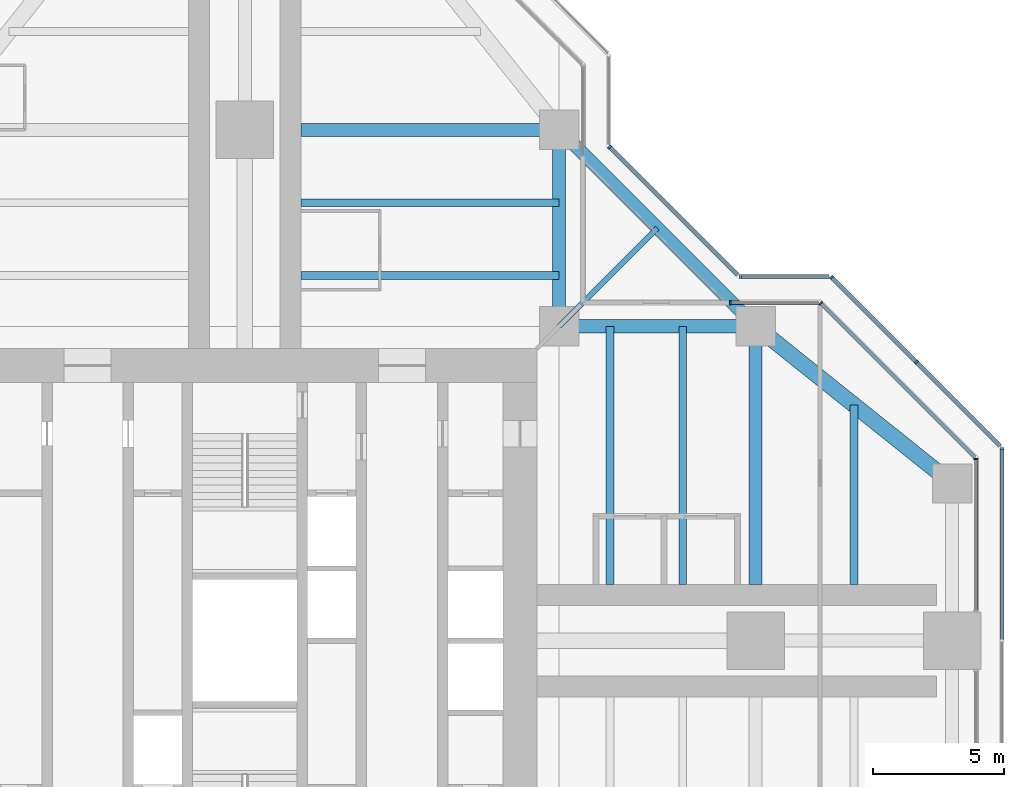
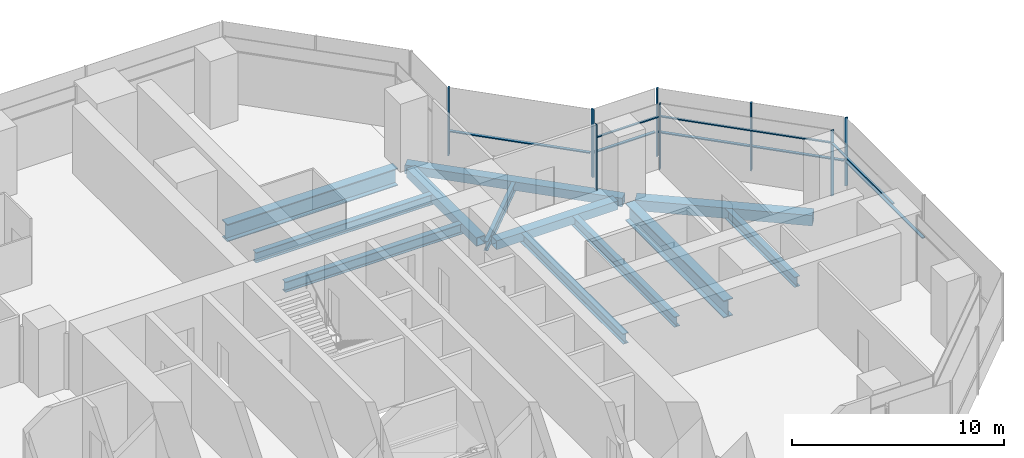
# One storey, part 8 of 17: 16 members, 12 beams, 7 elements without a shape of their own.
"""IFC4 building model written with IfcOpenShell, lengths in metres."""

import ifcopenshell
import ifcopenshell.guid

model = None  # the IFC model being written
_history = None  # IfcOwnerHistory: only IFC2X3 demands one
_inside = {}  # id of a spatial element -> (the spatial element, [elements in it])
_under = {}  # id of a project, library or spatial element -> (it, [spatial elements below it])
_declared = {}  # id of a project -> (the project, [libraries it declares])
_typed = {}  # id of a type object -> (the type object, [elements of that type])
_made_of = {}  # id of a material, layer set ... -> (it, [elements and type objects made of it])


def new_model(schema):
    """Start an empty IFC model of exactly this schema.

    Asked for "IFC4X3", IfcOpenShell would pick the latest addendum, in which some entities
    have other attributes; the version numbers below select the first issue.
    IFC2X3 requires an IfcOwnerHistory on every rooted entity: one is made here for all.
    """
    global model, _history
    if schema == "IFC4X3":
        model = ifcopenshell.file(schema_version=(4, 3, 0, 0))
    else:
        model = ifcopenshell.file(schema=schema)
    _inside.clear()
    _under.clear()
    _declared.clear()
    _typed.clear()
    _made_of.clear()
    _history = None
    if model.schema == "IFC2X3":
        org = make("IfcOrganization", Name="unknown")
        user = make(
            "IfcPersonAndOrganization",
            ThePerson=make("IfcPerson", FamilyName="unknown"),
            TheOrganization=org,
        )
        app = make(
            "IfcApplication",
            ApplicationDeveloper=org,
            Version="unknown",
            ApplicationFullName="unknown",
            ApplicationIdentifier="unknown",
        )
        _history = make(
            "IfcOwnerHistory",
            OwningUser=user,
            OwningApplication=app,
            ChangeAction="ADDED",
            CreationDate=0,
        )
    return model


def make(cls, **values):
    """One entity of the class cls with the attributes given. An attribute that is None is left unset."""
    return model.create_entity(
        cls, **{name: value for name, value in values.items() if value is not None}
    )


def rooted(cls, **values):
    """An entity with a GlobalId (a new one), such as an element, a storey or a relation."""
    return make(cls, GlobalId=ifcopenshell.guid.new(), OwnerHistory=_history, **values)


def si_unit(unit_type, name, prefix=None):
    """IfcSIUnit, for example si_unit("LENGTHUNIT", "METRE", prefix="MILLI")."""
    return make("IfcSIUnit", UnitType=unit_type, Prefix=prefix, Name=name)


def assignment(units):
    """IfcUnitAssignment: the units of a project."""
    return None if units is None else make("IfcUnitAssignment", Units=units)


def point(xyz):
    """IfcCartesianPoint."""
    return None if xyz is None else make("IfcCartesianPoint", Coordinates=xyz)


def direction(xyz):
    """IfcDirection."""
    return None if xyz is None else make("IfcDirection", DirectionRatios=xyz)


def frame(location, z_axis=None, x_axis=None):
    """IfcAxis2Placement3D, a coordinate frame: its origin and axes. An axis left out is left unset."""
    return make(
        "IfcAxis2Placement3D",
        Location=point(location),
        Axis=direction(z_axis),
        RefDirection=direction(x_axis),
    )


def frame_2d(location, x_axis=None):
    """IfcAxis2Placement2D, a coordinate frame in the plane: its origin and x axis."""
    return make(
        "IfcAxis2Placement2D", Location=point(location), RefDirection=direction(x_axis)
    )


def origin():
    """The frame at (0, 0, 0) with its axes left unset."""
    return frame((0.0, 0.0, 0.0))


def origin_2d():
    """The frame at (0, 0) in the plane with its x axis left unset."""
    return frame_2d((0.0, 0.0))


def place(relative_to, where):
    """IfcLocalPlacement: puts the frame where relative to a parent placement (None: the world)."""
    return make(
        "IfcLocalPlacement", PlacementRelTo=relative_to, RelativePlacement=where
    )


def context(
    kind, dimensions, precision=None, world=None, true_north=None, identifier=None
):
    """IfcGeometricRepresentationContext, for example the 3D "Model" context."""
    return make(
        "IfcGeometricRepresentationContext",
        ContextIdentifier=identifier,
        ContextType=kind,
        CoordinateSpaceDimension=dimensions,
        Precision=precision,
        WorldCoordinateSystem=world,
        TrueNorth=true_north,
    )


def subcontext(parent, identifier, kind, view, scale=None):
    """IfcGeometricRepresentationSubContext, for example "Body" below "Model"."""
    return make(
        "IfcGeometricRepresentationSubContext",
        ContextIdentifier=identifier,
        ContextType=kind,
        ParentContext=parent,
        TargetScale=scale,
        TargetView=view,
    )


def project(units=None, contexts=None):
    """IfcProject with its units and contexts."""
    return rooted(
        "IfcProject",
        Name="project",
        RepresentationContexts=contexts,
        UnitsInContext=assignment(units),
    )


def spatial(cls, under=None, at=None, **own):
    """A site, building, storey or space (cls), placed at a placement, below another one or the project."""
    s = rooted(cls, ObjectPlacement=at, **own)
    if under is not None:
        _under.setdefault(under.id(), (under, []))[1].append(s)
    return s


def profile(cls, at=None, kind="AREA", **sizes):
    """A parametric profile (cls). Its sizes go by their IFC names, for example OverallWidth=200.0."""
    return make(cls, ProfileType=kind, Position=at, **sizes)


def rectangle(**sizes):
    """IfcRectangleProfileDef."""
    return profile("IfcRectangleProfileDef", **sizes)


def hollow_rectangle(**sizes):
    """IfcRectangleHollowProfileDef."""
    return profile("IfcRectangleHollowProfileDef", **sizes)


def i_section(**sizes):
    """IfcIShapeProfileDef."""
    return profile("IfcIShapeProfileDef", **sizes)


def extrude(swept, where, along, depth):
    """IfcExtrudedAreaSolid: the profile swept, set in the frame where, extruded along a direction by depth."""
    return make(
        "IfcExtrudedAreaSolid",
        SweptArea=swept,
        Position=where,
        ExtrudedDirection=direction(along),
        Depth=depth,
    )


def shape(context_of_items, identifier, shape_type, items):
    """IfcShapeRepresentation: the items that make up one representation, for example the "Body"."""
    return make(
        "IfcShapeRepresentation",
        ContextOfItems=context_of_items,
        RepresentationIdentifier=identifier,
        RepresentationType=shape_type,
        Items=items,
    )


def material(Name=None, Category=None):
    """IfcMaterial."""
    return make("IfcMaterial", Name=Name, Category=Category)


def material_profile(
    of_material, cross_section, Name=None, Category=None, Priority=None
):
    """IfcMaterialProfile: a cross section and its material."""
    return make(
        "IfcMaterialProfile",
        Name=Name,
        Material=of_material,
        Profile=cross_section,
        Priority=Priority,
        Category=Category,
    )


def profile_set(profiles, Name=None, composite=None):
    """IfcMaterialProfileSet."""
    return make(
        "IfcMaterialProfileSet",
        Name=Name,
        MaterialProfiles=profiles,
        CompositeProfile=composite,
    )


def made_of(thing, what):
    """Note that an element or type object is made of a material, layer set ...; save() writes the relation."""
    if what is not None:
        _made_of.setdefault(what.id(), (what, []))[1].append(thing)
    return thing


def type_object(cls, material=None, **own):
    """A type object (cls), such as IfcWallType, which elements share."""
    return made_of(rooted(cls, **own), material)


def element(
    cls,
    number,
    at=None,
    inside=None,
    cuts=None,
    type_object=None,
    material=None,
    context=None,
    identifier="Body",
    shape_type=None,
    held_by="IfcProductDefinitionShape",
    body=None,
    shapes=None,
    **own,
):
    """One element of the class cls, such as IfcWall. Its Tag is "e" and its number.

    at: its placement. inside: the storey or other place that contains it. cuts: it is an
    opening in that element (IfcRelVoidsElement). A single representation is given by context,
    identifier, shape_type and body (its items); several are given by shapes. held_by: the class
    of the entity that holds the representations. save() writes the other relations.
    """
    e = rooted(cls, Tag="e%d" % number, ObjectPlacement=at, **own)
    if body is not None:
        shapes = [shape(context, identifier, shape_type, body)]
    if shapes is not None:
        e.Representation = make(held_by, Representations=shapes)
    if inside is not None:
        _inside.setdefault(inside.id(), (inside, []))[1].append(e)
    if cuts is not None:
        rooted(
            "IfcRelVoidsElement", RelatingBuildingElement=cuts, RelatedOpeningElement=e
        )
    if type_object is not None:
        _typed.setdefault(type_object.id(), (type_object, []))[1].append(e)
    return made_of(e, material)


def aggregate(whole, parts):
    """IfcRelAggregates: a whole, such as a stair, and the parts it consists of."""
    return rooted("IfcRelAggregates", RelatingObject=whole, RelatedObjects=parts)


def save(model, path):
    """Write the relations noted so far, then the file.

    IfcRelAggregates (storeys below a building ...), IfcRelContainedInSpatialStructure (elements
    in a storey), IfcRelDefinesByType, IfcRelAssociatesMaterial and IfcRelDeclares: one each for
    every whole, place, type object, material and project.
    """
    for whole, parts in _under.values():
        aggregate(whole, parts)
    for where, things in _inside.values():
        rooted(
            "IfcRelContainedInSpatialStructure",
            RelatedElements=things,
            RelatingStructure=where,
        )
    for kind, things in _typed.values():
        rooted("IfcRelDefinesByType", RelatedObjects=things, RelatingType=kind)
    for what, things in _made_of.values():
        rooted("IfcRelAssociatesMaterial", RelatedObjects=things, RelatingMaterial=what)
    for by, libraries in _declared.values():
        rooted("IfcRelDeclares", RelatingContext=by, RelatedDefinitions=libraries)
    model.write(path)


model = new_model("IFC4")

# Units and contexts
model_context = context("Model", 3, precision=1e-05, world=origin(), true_north=direction((0.0, 1.0)))
body_context = subcontext(model_context, "Body", "Model", "MODEL_VIEW")
ifc_project = project(units=[si_unit("LENGTHUNIT", "METRE"), si_unit("AREAUNIT", "SQUARE_METRE"), si_unit("VOLUMEUNIT", "CUBIC_METRE"), si_unit("PLANEANGLEUNIT", "RADIAN"), si_unit("MASSUNIT", "GRAM", prefix="KILO")], contexts=[model_context])

# Site, building, storey
site_placement = place(None, origin())
site = spatial("IfcSite", under=ifc_project, at=site_placement, CompositionType="ELEMENT")
building_placement = place(site_placement, origin())
building = spatial("IfcBuilding", under=site, at=building_placement, Name="Mizan Broadcast Tower", CompositionType="ELEMENT")
storey_placement = place(building_placement, frame((0.0, 0.0, 212.699951171875)))
storey = spatial("IfcBuildingStorey", under=building, at=storey_placement, Name="L49", CompositionType="ELEMENT", Elevation=212.699951171875)

# Beams
ifc_material_1 = material(Name="Steel S355", Category="steel")
ifc_material_profile_1 = material_profile(ifc_material_1, hollow_rectangle(XDim=0.5, YDim=0.5, WallThickness=0.030029296875, at=origin_2d()), Name="BOX 500x500x30")
ifc_profile_set_1 = profile_set([ifc_material_profile_1], Name="Steel S355")
beam_type_1 = type_object("IfcBeamType", Name="EDGE BEAM BOX 500x500x30", PredefinedType="SPANDREL", material=ifc_profile_set_1)
for number, where, z_axis, x_axis, name in (
    (1, (12.449951171875, 12.0, -0.3798828125), (1.0, 0.0, 0.0), (0.0, 1.0, 0.0), "Edge beam BOX 500x500x30 L49 east arm"),
    (2, (12.0, 12.449951171875, -0.3798828125), (0.0, 1.0, 0.0), (-1.0, 0.0, 0.0), "Edge beam BOX 500x500x30 L49 north arm"),
):
    element("IfcBeam", number, at=place(storey_placement, frame(where, z_axis=z_axis, x_axis=x_axis)), inside=storey, type_object=beam_type_1, Name=name, PredefinedType="SPANDREL", context=body_context, shape_type="SweptSolid", body=[
        extrude(hollow_rectangle(XDim=0.5, YDim=0.5, WallThickness=0.030029296875, at=origin_2d()), origin(), (0.0, 0.0, 1.0), 6.60009765625),
    ])
beam_1_placement = place(storey_placement, frame((19.5, 12.0, -0.3798828125), z_axis=(-0.707106781187, 0.707106781187, 0.0), x_axis=(-0.707106781187, -0.707106781187, 0.0)))
element("IfcBeam", 3, at=beam_1_placement, inside=storey, type_object=beam_type_1, Name="Winter garden edge beam L49 E", PredefinedType="SPANDREL", context=body_context, shape_type="SweptSolid", body=[
    extrude(hollow_rectangle(XDim=0.5, YDim=0.5, WallThickness=0.030029296875, at=origin_2d()), origin(), (0.0, 0.0, 1.0), 10.606689453125),
])
ifc_material_2 = material(Name="Steel S355", Category="steel")
ifc_material_profile_2 = material_profile(ifc_material_2, hollow_rectangle(XDim=0.60009765625, YDim=0.60009765625, WallThickness=0.030029296875, at=origin_2d()), Name="BOX 600x600x30")
ifc_profile_set_2 = profile_set([ifc_material_profile_2], Name="Steel S355")
beam_type_2 = type_object("IfcBeamType", Name="EDGE BEAM BOX 600x600x30", PredefinedType="SPANDREL", material=ifc_profile_set_2)
beam_2_placement = place(storey_placement, frame((19.949951171875, 11.639892578125, -0.429931640625), z_axis=(0.780885717636, -0.624673911726, 0.0), x_axis=(0.624673911726, 0.780885717636, 0.0)))
element("IfcBeam", 4, at=beam_2_placement, inside=storey, type_object=beam_type_2, Name="Edge beam BOX 600x600x30 L49 east arm", PredefinedType="SPANDREL", context=body_context, shape_type="SweptSolid", body=[
    extrude(hollow_rectangle(XDim=0.60009765625, YDim=0.60009765625, WallThickness=0.030029296875, at=origin_2d()), origin(), (0.0, 0.0, 1.0), 8.4521484375),
])
ifc_material_3 = material(Name="Steel S460", Category="steel")
ifc_material_profile_3 = material_profile(ifc_material_3, i_section(OverallWidth=0.5, OverallDepth=1.0, WebThickness=0.02490234375, FlangeThickness=0.050048828125, at=origin_2d()), Name="WPG 1000x500")
ifc_profile_set_3 = profile_set([ifc_material_profile_3], Name="Steel S460")
beam_type_3 = type_object("IfcBeamType", Name="GIRDER WPG 1000x500", PredefinedType="BEAM", material=ifc_profile_set_3)
for number, where, z_axis, x_axis, name in (
    (5, (19.5, 11.408935546875, -0.6298828125), (0.0, -1.0, 0.0), (1.0, 0.0, 0.0), "Girder WPG 1000x500 L49 east arm"),
    (6, (11.408935546875, 19.5, -0.6298828125), (-1.0, 0.0, 0.0), (0.0, -1.0, 0.0), "Girder WPG 1000x500 L49 north arm"),
):
    element("IfcBeam", number, at=place(storey_placement, frame(where, z_axis=z_axis, x_axis=x_axis)), inside=storey, type_object=beam_type_3, Name=name, PredefinedType="BEAM", context=body_context, shape_type="SweptSolid", body=[
        extrude(i_section(OverallWidth=0.5, OverallDepth=1.0, WebThickness=0.02490234375, FlangeThickness=0.050048828125, at=origin_2d()), origin(), (0.0, 0.0, 1.0), 9.259033203125),
    ])

# Curtain wall, member
ifc_material_4 = material(Name="Aluminium framed glazing", Category="aluminium")
curtain_wall_type_1 = type_object("IfcCurtainWallType", Name="INNER SKIN HIGH ZONE", PredefinedType="USERDEFINED", material=ifc_material_4)
curtain_wall_1_placement = place(storey_placement, origin())
curtain_wall_1 = element("IfcCurtainWall", 7, at=curtain_wall_1_placement, inside=storey, type_object=curtain_wall_type_1, Name="Inner skin high zone L49 E end", ObjectType="INNER SKIN HIGH ZONE", PredefinedType="USERDEFINED")
ifc_material_5 = material(Name="Aluminium, pale anodised", Category="aluminium")
ifc_material_profile_4 = material_profile(ifc_material_5, rectangle(XDim=0.159912109375, YDim=0.06005859375, at=origin_2d()), Name="MULLION 160x60")
ifc_profile_set_4 = profile_set([ifc_material_profile_4], Name="Aluminium, pale anodised")
member_type_1 = type_object("IfcMemberType", Name="INNER SKIN MULLION 60x160", PredefinedType="MULLION", material=ifc_profile_set_4)
member_1_placement = place(storey_placement, frame((27.89990234375, 6.928466796875, 0.0), z_axis=(0.0, 0.0, 1.0), x_axis=(-1.0, 0.0, 0.0)))
member_1 = element("IfcMember", 8, at=member_1_placement, type_object=member_type_1, Name="Inner skin high zone L49 E end mullion 2", PredefinedType="MULLION", context=body_context, shape_type="SweptSolid", body=[
    extrude(rectangle(XDim=0.159912109375, YDim=0.06005859375, at=origin_2d()), origin(), (0.0, 0.0, 1.0), 3.77001953125),
])

curtain_wall_2_placement = place(storey_placement, origin())
curtain_wall_2 = element("IfcCurtainWall", 9, at=curtain_wall_2_placement, inside=storey, type_object=curtain_wall_type_1, Name="Inner skin high zone L49 E chamfer", ObjectType="INNER SKIN HIGH ZONE", PredefinedType="USERDEFINED")
member_2_placement = place(storey_placement, frame((21.979736328125, 12.87890625, 0.0), z_axis=(0.0, 0.0, 1.0), x_axis=(-0.707106781187, -0.707106781187, 0.0)))
member_2 = element("IfcMember", 10, at=member_2_placement, type_object=member_type_1, Name="Inner skin high zone L49 E chamfer mullion 2", PredefinedType="MULLION", context=body_context, shape_type="SweptSolid", body=[
    extrude(rectangle(XDim=0.159912109375, YDim=0.06005859375, at=origin_2d()), origin(), (0.0, 0.0, 1.0), 3.77001953125),
])

curtain_wall_3_placement = place(storey_placement, origin())
curtain_wall_3 = element("IfcCurtainWall", 11, at=curtain_wall_3_placement, inside=storey, type_object=curtain_wall_type_1, Name="Inner skin high zone L49 E side", ObjectType="INNER SKIN HIGH ZONE", PredefinedType="USERDEFINED")
member_3_placement = place(storey_placement, frame((18.530029296875, 12.89990234375, 0.0), z_axis=(0.0, 0.0, 1.0), x_axis=(0.0, -1.0, 0.0)))
member_3 = element("IfcMember", 12, at=member_3_placement, type_object=member_type_1, Name="Inner skin high zone L49 E side mullion 2", PredefinedType="MULLION", context=body_context, shape_type="SweptSolid", body=[
    extrude(rectangle(XDim=0.159912109375, YDim=0.06005859375, at=origin_2d()), origin(), (0.0, 0.0, 1.0), 3.77001953125),
])

# Member
ifc_material_6 = material(Name="Aluminium, pale anodised", Category="aluminium")
ifc_material_profile_5 = material_profile(ifc_material_6, rectangle(XDim=0.1201171875, YDim=0.06005859375, at=origin_2d()), Name="TRANSOM 120x60")
ifc_profile_set_5 = profile_set([ifc_material_profile_5], Name="Aluminium, pale anodised")
member_type_2 = type_object("IfcMemberType", Name="INNER SKIN TRANSOM 60x120", PredefinedType="USERDEFINED", material=ifc_profile_set_5)
member_4_placement = place(storey_placement, frame((27.89990234375, 1.159912109375, 3.030029296875), z_axis=(0.0, 1.0, 0.0), x_axis=(-1.0, 0.0, 0.0)))
member_4 = element("IfcMember", 13, at=member_4_placement, type_object=member_type_2, Name="Inner skin high zone L49 E end transom 1.1", ObjectType="TRANSOM", PredefinedType="USERDEFINED", context=body_context, shape_type="SweptSolid", body=[
    extrude(rectangle(XDim=0.1201171875, YDim=0.06005859375, at=origin_2d()), origin(), (0.0, 0.0, 1.0), 5.73876953125),
])

aggregate(curtain_wall_1, [member_1, member_4])

member_5_placement = place(storey_placement, frame((27.857666015625, 7.0009765625, 3.030029296875), z_axis=(-0.707106781187, 0.707106781187, 0.0), x_axis=(-0.707106781187, -0.707106781187, 0.0)))
member_5 = element("IfcMember", 14, at=member_5_placement, type_object=member_type_2, Name="Inner skin high zone L49 E chamfer transom 1.1", ObjectType="TRANSOM", PredefinedType="USERDEFINED", context=body_context, shape_type="SweptSolid", body=[
    extrude(rectangle(XDim=0.1201171875, YDim=0.06005859375, at=origin_2d()), origin(), (0.0, 0.0, 1.0), 8.28271484375),
])

aggregate(curtain_wall_2, [member_2, member_5])

member_6_placement = place(storey_placement, frame((21.898681640625, 12.89990234375, 3.030029296875), z_axis=(-1.0, 0.0, 0.0), x_axis=(0.0, -1.0, 0.0)))
member_6 = element("IfcMember", 15, at=member_6_placement, type_object=member_type_2, Name="Inner skin high zone L49 E side transom 1.1", ObjectType="TRANSOM", PredefinedType="USERDEFINED", context=body_context, shape_type="SweptSolid", body=[
    extrude(rectangle(XDim=0.1201171875, YDim=0.06005859375, at=origin_2d()), origin(), (0.0, 0.0, 1.0), 3.338623046875),
])

aggregate(curtain_wall_3, [member_3, member_6])

# Curtain wall, member
ifc_material_7 = material(Name="Aluminium framed glazing", Category="aluminium")
curtain_wall_type_2 = type_object("IfcCurtainWallType", Name="OUTER SKIN", PredefinedType="USERDEFINED", material=ifc_material_7)
curtain_wall_4_placement = place(storey_placement, origin())
curtain_wall_4 = element("IfcCurtainWall", 16, at=curtain_wall_4_placement, inside=storey, type_object=curtain_wall_type_2, Name="Outer skin L49 E end", ObjectType="OUTER SKIN", PredefinedType="USERDEFINED")
ifc_material_8 = material(Name="Aluminium, pale anodised", Category="aluminium")
ifc_material_profile_6 = material_profile(ifc_material_8, rectangle(XDim=0.159912109375, YDim=0.080078125, at=origin_2d()), Name="MULLION 160x80")
ifc_profile_set_6 = profile_set([ifc_material_profile_6], Name="Aluminium, pale anodised")
member_type_3 = type_object("IfcMemberType", Name="OUTER SKIN MULLION 80x160", PredefinedType="MULLION", material=ifc_profile_set_6)
member_7_placement = place(storey_placement, frame((28.89990234375, 7.332763671875, 0.0), z_axis=(0.0, 0.0, 1.0), x_axis=(-1.0, 0.0, 0.0)))
member_7 = element("IfcMember", 17, at=member_7_placement, type_object=member_type_3, Name="Outer skin L49 E end mullion 3", PredefinedType="MULLION", context=body_context, shape_type="SweptSolid", body=[
    extrude(rectangle(XDim=0.159912109375, YDim=0.080078125, at=origin_2d()), origin(), (0.0, 0.0, 1.0), 3.900146484375),
])

# Curtain wall, members
curtain_wall_5_placement = place(storey_placement, origin())
curtain_wall_5 = element("IfcCurtainWall", 18, at=curtain_wall_5_placement, inside=storey, type_object=curtain_wall_type_2, Name="Outer skin L49 E chamfer", ObjectType="OUTER SKIN", PredefinedType="USERDEFINED")
member_8_placement = place(storey_placement, frame((25.636474609375, 10.636474609375, 0.0), z_axis=(0.0, 0.0, 1.0), x_axis=(-0.707106781187, -0.707106781187, 0.0)))
member_8 = element("IfcMember", 19, at=member_8_placement, type_object=member_type_3, Name="Outer skin L49 E chamfer mullion 2", PredefinedType="MULLION", context=body_context, shape_type="SweptSolid", body=[
    extrude(rectangle(XDim=0.159912109375, YDim=0.080078125, at=origin_2d()), origin(), (0.0, 0.0, 1.0), 3.900146484375),
])
member_9_placement = place(storey_placement, frame((22.401123046875, 13.871826171875, 0.0), z_axis=(0.0, 0.0, 1.0), x_axis=(-0.707106781187, -0.707106781187, 0.0)))
member_9 = element("IfcMember", 20, at=member_9_placement, type_object=member_type_3, Name="Outer skin L49 E chamfer mullion 3", PredefinedType="MULLION", context=body_context, shape_type="SweptSolid", body=[
    extrude(rectangle(XDim=0.159912109375, YDim=0.080078125, at=origin_2d()), origin(), (0.0, 0.0, 1.0), 3.900146484375),
])

# Curtain wall, member
curtain_wall_6_placement = place(storey_placement, origin())
curtain_wall_6 = element("IfcCurtainWall", 21, at=curtain_wall_6_placement, inside=storey, type_object=curtain_wall_type_2, Name="Outer skin L49 E side", ObjectType="OUTER SKIN", PredefinedType="USERDEFINED")
member_10_placement = place(storey_placement, frame((18.912841796875, 13.89990234375, 0.0), z_axis=(0.0, 0.0, 1.0), x_axis=(0.0, -1.0, 0.0)))
member_10 = element("IfcMember", 22, at=member_10_placement, type_object=member_type_3, Name="Outer skin L49 E side mullion 2", PredefinedType="MULLION", context=body_context, shape_type="SweptSolid", body=[
    extrude(rectangle(XDim=0.159912109375, YDim=0.080078125, at=origin_2d()), origin(), (0.0, 0.0, 1.0), 3.900146484375),
])

curtain_wall_7_placement = place(storey_placement, origin())
curtain_wall_7 = element("IfcCurtainWall", 23, at=curtain_wall_7_placement, inside=storey, type_object=curtain_wall_type_2, Name="Outer skin L49 E chamfer", ObjectType="OUTER SKIN", PredefinedType="USERDEFINED")
member_11_placement = place(storey_placement, frame((13.92822265625, 18.844482421875, 0.0), z_axis=(0.0, 0.0, 1.0), x_axis=(-0.707106781187, -0.707106781187, 0.0)))
member_11 = element("IfcMember", 24, at=member_11_placement, type_object=member_type_3, Name="Outer skin L49 E chamfer mullion 2", PredefinedType="MULLION", context=body_context, shape_type="SweptSolid", body=[
    extrude(rectangle(XDim=0.159912109375, YDim=0.080078125, at=origin_2d()), origin(), (0.0, 0.0, 1.0), 3.900146484375),
])

# Member
ifc_material_9 = material(Name="Aluminium, pale anodised", Category="aluminium")
ifc_material_profile_7 = material_profile(ifc_material_9, rectangle(XDim=0.159912109375, YDim=0.06005859375, at=origin_2d()), Name="TRANSOM 160x60")
ifc_profile_set_7 = profile_set([ifc_material_profile_7], Name="Aluminium, pale anodised")
member_type_4 = type_object("IfcMemberType", Name="OUTER SKIN TRANSOM 60x160", PredefinedType="USERDEFINED", material=ifc_profile_set_7)
member_12_placement = place(storey_placement, frame((28.89990234375, 0.0400390625, 1.400146484375), z_axis=(0.0, 1.0, 0.0), x_axis=(-1.0, 0.0, 0.0)))
member_12 = element("IfcMember", 25, at=member_12_placement, type_object=member_type_4, Name="Outer skin L49 E end transom 2.1", ObjectType="TRANSOM", PredefinedType="USERDEFINED", context=body_context, shape_type="SweptSolid", body=[
    extrude(rectangle(XDim=0.159912109375, YDim=0.06005859375, at=origin_2d()), origin(), (0.0, 0.0, 1.0), 7.252685546875),
])

aggregate(curtain_wall_4, [member_7, member_12])

member_13_placement = place(storey_placement, frame((28.843505859375, 7.429443359375, 1.400146484375), z_axis=(-0.707106781187, 0.707106781187, 0.0), x_axis=(-0.707106781187, -0.707106781187, 0.0)))
member_13 = element("IfcMember", 26, at=member_13_placement, type_object=member_type_4, Name="Outer skin L49 E chamfer transom 1.1", ObjectType="TRANSOM", PredefinedType="USERDEFINED", context=body_context, shape_type="SweptSolid", body=[
    extrude(rectangle(XDim=0.159912109375, YDim=0.06005859375, at=origin_2d()), origin(), (0.0, 0.0, 1.0), 4.495361328125),
])

member_14_placement = place(storey_placement, frame((25.608154296875, 10.664794921875, 1.400146484375), z_axis=(-0.707106781187, 0.707106781187, 0.0), x_axis=(-0.707106781187, -0.707106781187, 0.0)))
member_14 = element("IfcMember", 27, at=member_14_placement, type_object=member_type_4, Name="Outer skin L49 E chamfer transom 2.1", ObjectType="TRANSOM", PredefinedType="USERDEFINED", context=body_context, shape_type="SweptSolid", body=[
    extrude(rectangle(XDim=0.159912109375, YDim=0.06005859375, at=origin_2d()), origin(), (0.0, 0.0, 1.0), 4.495361328125),
])

aggregate(curtain_wall_5, [member_8, member_9, member_13, member_14])

member_15_placement = place(storey_placement, frame((22.292724609375, 13.89990234375, 1.400146484375), z_axis=(-1.0, 0.0, 0.0), x_axis=(0.0, -1.0, 0.0)))
member_15 = element("IfcMember", 28, at=member_15_placement, type_object=member_type_4, Name="Outer skin L49 E side transom 1.1", ObjectType="TRANSOM", PredefinedType="USERDEFINED", context=body_context, shape_type="SweptSolid", body=[
    extrude(rectangle(XDim=0.159912109375, YDim=0.06005859375, at=origin_2d()), origin(), (0.0, 0.0, 1.0), 3.33984375),
])

aggregate(curtain_wall_6, [member_10, member_15])

member_16_placement = place(storey_placement, frame((18.816162109375, 13.95654296875, 1.400146484375), z_axis=(-0.707106781187, 0.707106781187, 0.0), x_axis=(-0.707106781187, -0.707106781187, 0.0)))
member_16 = element("IfcMember", 29, at=member_16_placement, type_object=member_type_4, Name="Outer skin L49 E chamfer transom 1.1", ObjectType="TRANSOM", PredefinedType="USERDEFINED", context=body_context, shape_type="SweptSolid", body=[
    extrude(rectangle(XDim=0.159912109375, YDim=0.06005859375, at=origin_2d()), origin(), (0.0, 0.0, 1.0), 6.87255859375),
])

aggregate(curtain_wall_7, [member_11, member_16])

# Beams
ifc_material_10 = material(Name="Steel S355", Category="steel")
ifc_material_profile_8 = material_profile(ifc_material_10, i_section(OverallWidth=0.300048828125, OverallDepth=0.590087890625, WebThickness=0.012939453125, FlangeThickness=0.02490234375, FilletRadius=0.027099609375, at=origin_2d()), Name="HEA 600")
ifc_profile_set_8 = profile_set([ifc_material_profile_8], Name="Steel S355")
beam_type_4 = type_object("IfcBeamType", Name="SECONDARY BEAM HEA 600", PredefinedType="JOIST", material=ifc_profile_set_8)
for number, where, z_axis, x_axis, name in (
    (30, (13.933349609375, 12.0, -0.425048828125), (0.0, -1.0, 0.0), (1.0, 0.0, 0.0), "Secondary beam HEA 600 L49 east arm"),
    (31, (16.716552734375, 12.0, -0.425048828125), (0.0, -1.0, 0.0), (1.0, 0.0, 0.0), "Secondary beam HEA 600 L49 east arm"),
):
    element("IfcBeam", number, at=place(storey_placement, frame(where, z_axis=z_axis, x_axis=x_axis)), inside=storey, type_object=beam_type_4, Name=name, PredefinedType="JOIST", context=body_context, shape_type="SweptSolid", body=[
        extrude(i_section(OverallWidth=0.300048828125, OverallDepth=0.590087890625, WebThickness=0.012939453125, FlangeThickness=0.02490234375, FilletRadius=0.027099609375, at=origin_2d()), origin(), (0.0, 0.0, 1.0), 9.85009765625),
    ])
beam_3_placement = place(storey_placement, frame((23.25, 9.0, -0.425048828125), z_axis=(0.0, -1.0, 0.0), x_axis=(1.0, 0.0, 0.0)))
element("IfcBeam", 32, at=beam_3_placement, inside=storey, type_object=beam_type_4, Name="Secondary beam HEA 600 L49 east arm", PredefinedType="JOIST", context=body_context, shape_type="SweptSolid", body=[
    extrude(i_section(OverallWidth=0.300048828125, OverallDepth=0.590087890625, WebThickness=0.012939453125, FlangeThickness=0.02490234375, FilletRadius=0.027099609375, at=origin_2d()), origin(), (0.0, 0.0, 1.0), 6.85009765625),
])
for number, where, z_axis, x_axis, name in (
    (33, (12.0, 13.933349609375, -0.425048828125), (-1.0, 0.0, 0.0), (0.0, -1.0, 0.0), "Secondary beam HEA 600 L49 north arm"),
    (34, (12.0, 16.716552734375, -0.425048828125), (-1.0, 0.0, 0.0), (0.0, -1.0, 0.0), "Secondary beam HEA 600 L49 north arm"),
):
    element("IfcBeam", number, at=place(storey_placement, frame(where, z_axis=z_axis, x_axis=x_axis)), inside=storey, type_object=beam_type_4, Name=name, PredefinedType="JOIST", context=body_context, shape_type="SweptSolid", body=[
        extrude(i_section(OverallWidth=0.300048828125, OverallDepth=0.590087890625, WebThickness=0.012939453125, FlangeThickness=0.02490234375, FilletRadius=0.027099609375, at=origin_2d()), origin(), (0.0, 0.0, 1.0), 9.85009765625),
    ])
ifc_material_11 = material(Name="Steel S355", Category="steel")
ifc_material_profile_9 = material_profile(ifc_material_11, i_section(OverallWidth=0.2099609375, OverallDepth=0.550048828125, WebThickness=0.010986328125, FlangeThickness=0.01708984375, FilletRadius=0.02392578125, at=origin_2d()), Name="IPE 550")
ifc_profile_set_9 = profile_set([ifc_material_profile_9], Name="Steel S355")
beam_type_5 = type_object("IfcBeamType", Name="SECONDARY BEAM IPE 550", PredefinedType="JOIST", material=ifc_profile_set_9)
beam_4_placement = place(storey_placement, frame((12.0, 12.0, -0.405029296875), z_axis=(0.707106781187, 0.707106781187, 0.0), x_axis=(-0.707106781187, 0.707106781187, 0.0)))
element("IfcBeam", 35, at=beam_4_placement, inside=storey, type_object=beam_type_5, Name="Winter garden beam L49 E", PredefinedType="JOIST", context=body_context, shape_type="SweptSolid", body=[
    extrude(i_section(OverallWidth=0.2099609375, OverallDepth=0.550048828125, WebThickness=0.010986328125, FlangeThickness=0.01708984375, FilletRadius=0.02392578125, at=origin_2d()), origin(), (0.0, 0.0, 1.0), 5.30322265625),
])

save(model, "model.ifc")
